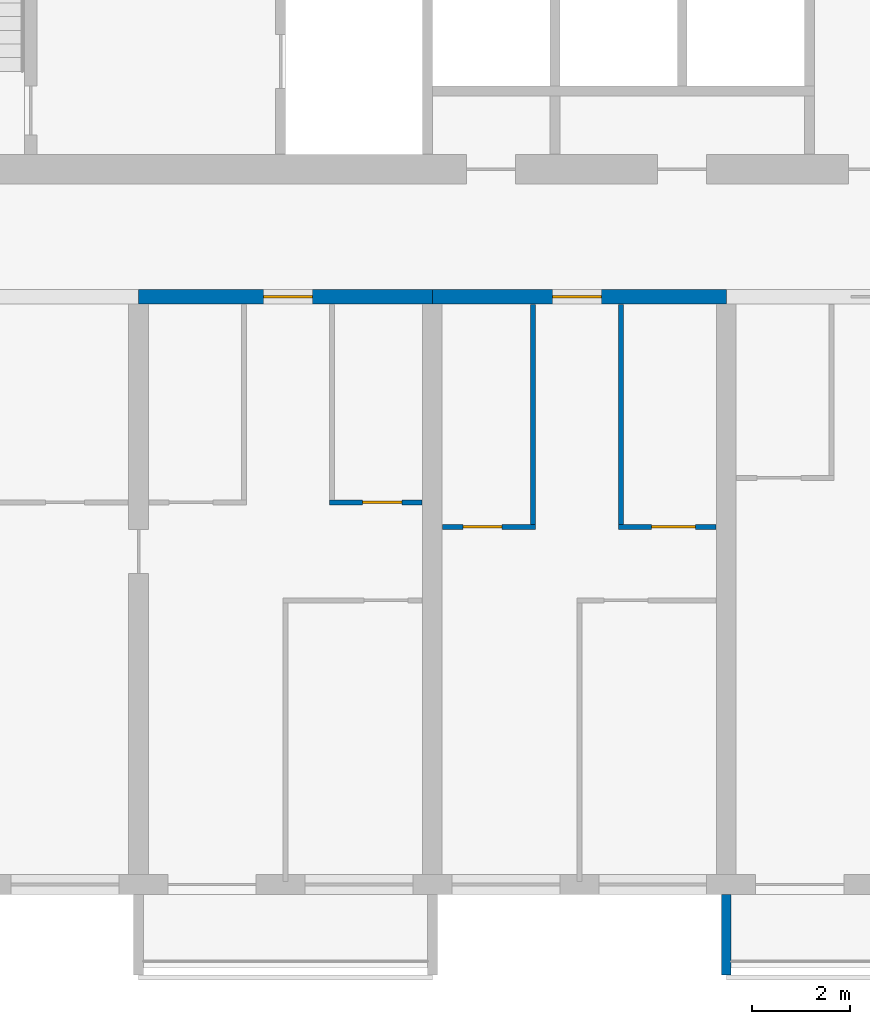
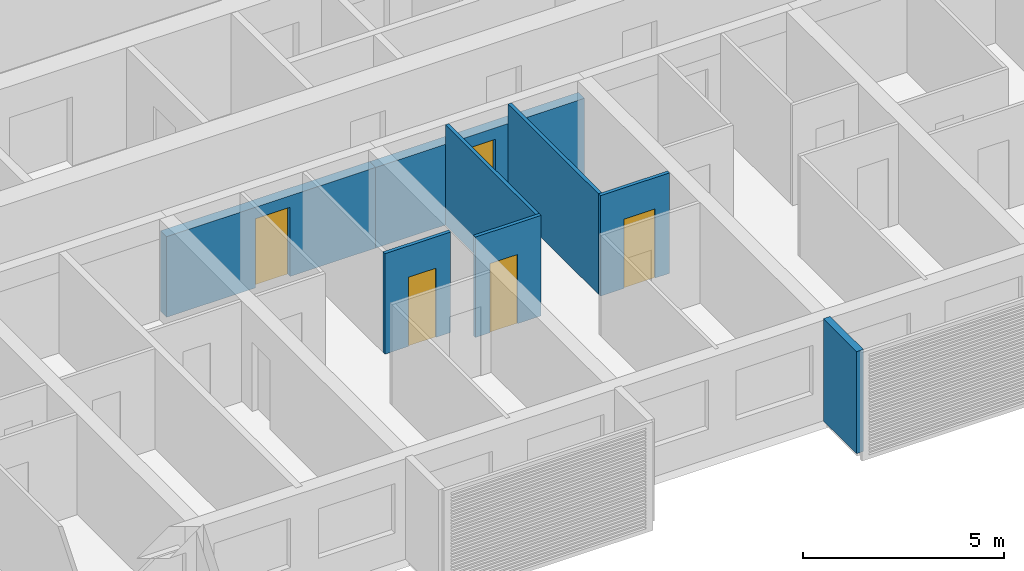
# One storey, part 5 of 44: 8 walls, 5 doors, 5 openings.
"""IFC4 building model written with IfcOpenShell, lengths in metres."""

from ifc_helpers import new_model, si_unit, direction, frame, frame_2d, origin, place, context, subcontext, project, spatial, polyline, rectangle, outline, extrude, source, transform, mapped, material, layer, layer_set, type_object, element, fill, save


model = new_model("IFC4")

# Units and contexts
model_context = context("Model", 3, precision=1e-05, world=origin(), true_north=direction((0.0, 1.0)))
body_context = subcontext(model_context, "Body", "Model", "MODEL_VIEW")
ifc_project = project(units=[si_unit("LENGTHUNIT", "METRE"), si_unit("AREAUNIT", "SQUARE_METRE"), si_unit("VOLUMEUNIT", "CUBIC_METRE"), si_unit("PLANEANGLEUNIT", "RADIAN"), si_unit("MASSUNIT", "GRAM", prefix="KILO")], contexts=[model_context])

# Site, building, storey
site_placement = place(None, origin())
site = spatial("IfcSite", under=ifc_project, at=site_placement, CompositionType="ELEMENT")
building_placement = place(site_placement, origin())
building = spatial("IfcBuilding", under=site, at=building_placement, Name="Poui Terraces", CompositionType="ELEMENT")
storey_placement = place(building_placement, frame((0.0, 0.0, 30.0)))
storey = spatial("IfcBuildingStorey", under=building, at=storey_placement, Name="L07", CompositionType="ELEMENT", Elevation=30.0)

# Wall, opening, door
ifc_material_1 = material(Name="Concrete 80 MPa", Category="concrete")
ifc_layer_1 = layer(ifc_material_1, 0.300048828125)
ifc_layer_set_1 = layer_set([ifc_layer_1], Name="Concrete 80 MPa")
wall_type_1 = type_object("IfcWallType", Name="CORRIDOR WALL 300 80MPa", PredefinedType="SHEAR", material=ifc_layer_set_1)
wall_1_placement = place(storey_placement, frame((36.0, 12.0, 0.0), z_axis=(0.0, 0.0, 1.0), x_axis=(1.0, 0.0, 0.0)))
wall_1 = element("IfcWall", 1, at=wall_1_placement, inside=storey, type_object=wall_type_1, Name="CORRIDOR WALL LINE B BAY 7", PredefinedType="SHEAR", context=body_context, shape_type="SweptSolid", body=[
    extrude(rectangle(XDim=6.0, YDim=0.300048828125, at=frame_2d((3.0, 0.0))), origin(), (0.0, 0.0, 1.0), 2.449951171875),
])
opening_1_placement = place(wall_1_placement, frame((2.550048828125, 0.0, 0.0)))
opening_1 = element("IfcOpeningElement", 2, at=opening_1_placement, cuts=wall_1, Name="Opening FD30S", PredefinedType="OPENING", context=body_context, shape_type="SweptSolid", body=[
    extrude(rectangle(XDim=1.0, YDim=2.10009765625, at=frame_2d((0.5, 1.050048828125))), frame((0.0, 0.16015625, 0.0), z_axis=(0.0, -1.0, 0.0), x_axis=(1.0, 0.0, 0.0)), (0.0, 0.0, 1.0), 0.320068359375),
])
ifc_material_2 = material(Name="Steel fire door", Category="steel")
door_type_1 = type_object("IfcDoorType", Name="FLAT ENTRANCE DOOR 1000 X 2100", OperationType="NOTDEFINED", PredefinedType="DOOR", material=ifc_material_2)
door_1_placement = place(opening_1_placement, frame((1.0, 0.0, 0.0), z_axis=(0.0, 0.0, 1.0), x_axis=(-1.0, 0.0, 0.0)))
door_1 = element("IfcDoor", 3, at=door_1_placement, inside=storey, type_object=door_type_1, Name="FLAT ENTRANCE DOOR 113", OperationType="SINGLE_SWING_LEFT", OverallHeight=2.10009765625, OverallWidth=1.0, PredefinedType="DOOR", context=body_context, shape_type="SweptSolid", body=[
    extrude(rectangle(XDim=1.0, YDim=2.10009765625, at=frame_2d((0.5, 1.050048828125))), frame((0.0, 0.02490234375, 0.0), z_axis=(0.0, -1.0, 0.0), x_axis=(1.0, 0.0, 0.0)), (0.0, 0.0, 1.0), 0.050048828125),
])
fill(opening_1, door_1)

wall_2_placement = place(storey_placement, frame((42.0, 12.0, 0.0), z_axis=(0.0, 0.0, 1.0), x_axis=(1.0, 0.0, 0.0)))
wall_2 = element("IfcWall", 4, at=wall_2_placement, inside=storey, type_object=wall_type_1, Name="CORRIDOR WALL LINE B BAY 8", PredefinedType="SHEAR", context=body_context, shape_type="SweptSolid", body=[
    extrude(rectangle(XDim=6.0, YDim=0.300048828125, at=frame_2d((3.0, 0.0))), origin(), (0.0, 0.0, 1.0), 2.449951171875),
])
opening_2_placement = place(wall_2_placement, frame((2.449951171875, 0.0, 0.0)))
opening_2 = element("IfcOpeningElement", 5, at=opening_2_placement, cuts=wall_2, Name="Opening FD30S", PredefinedType="OPENING", context=body_context, shape_type="SweptSolid", body=[
    extrude(rectangle(XDim=1.0, YDim=2.10009765625, at=frame_2d((0.5, 1.050048828125))), frame((0.0, 0.16015625, 0.0), z_axis=(0.0, -1.0, 0.0), x_axis=(1.0, 0.0, 0.0)), (0.0, 0.0, 1.0), 0.320068359375),
])
door_2_placement = place(opening_2_placement, frame((1.0, 0.0, 0.0), z_axis=(0.0, 0.0, 1.0), x_axis=(-1.0, 0.0, 0.0)))
door_2 = element("IfcDoor", 6, at=door_2_placement, inside=storey, type_object=door_type_1, Name="FLAT ENTRANCE DOOR 117", OperationType="SINGLE_SWING_RIGHT", OverallHeight=2.10009765625, OverallWidth=1.0, PredefinedType="DOOR", context=body_context, shape_type="SweptSolid", body=[
    extrude(rectangle(XDim=1.0, YDim=2.10009765625, at=frame_2d((0.5, 1.050048828125))), frame((0.0, 0.02490234375, 0.0), z_axis=(0.0, -1.0, 0.0), x_axis=(1.0, 0.0, 0.0)), (0.0, 0.0, 1.0), 0.050048828125),
])
fill(opening_2, door_2)

ifc_material_3 = material(Name="Plasterboard partition")
ifc_layer_2 = layer(ifc_material_3, 0.10009765625)
ifc_layer_set_2 = layer_set([ifc_layer_2], Name="Plasterboard partition")
wall_type_2 = type_object("IfcWallType", Name="FLAT PARTITION 100", PredefinedType="PARTITIONING", material=ifc_layer_set_2)
wall_3_placement = place(storey_placement, frame((42.2099609375, 7.300048828125, 0.0), z_axis=(0.0, 0.0, 1.0), x_axis=(1.0, 0.0, 0.0)))
wall_3 = element("IfcWall", 7, at=wall_3_placement, inside=storey, type_object=wall_type_2, Name="FLAT PARTITION 100", PredefinedType="PARTITIONING", context=body_context, shape_type="SweptSolid", body=[
    extrude(rectangle(XDim=1.89013671875, YDim=0.10009765625, at=frame_2d((0.945068359375, 0.0))), origin(), (0.0, 0.0, 1.0), 3.050048828125),
])
opening_3_placement = place(wall_3_placement, frame((0.4150390625, 0.0, 0.0)))
opening_3 = element("IfcOpeningElement", 8, at=opening_3_placement, cuts=wall_3, Name="Opening D80", PredefinedType="OPENING", context=body_context, shape_type="SweptSolid", body=[
    extrude(rectangle(XDim=0.800048828125, YDim=2.10009765625, at=frame_2d((0.39990234375, 1.050048828125))), frame((0.0, 0.06005859375, 0.0), z_axis=(0.0, -1.0, 0.0), x_axis=(1.0, 0.0, 0.0)), (0.0, 0.0, 1.0), 0.1201171875),
])
ifc_material_4 = material(Name="Solid core timber door", Category="wood")
door_type_2 = type_object("IfcDoorType", Name="BATHROOM, LAUNDRY AND STORE DOOR 800 X 2100", OperationType="NOTDEFINED", PredefinedType="DOOR", material=ifc_material_4)
door_3_placement = place(opening_3_placement, origin())
door_3 = element("IfcDoor", 9, at=door_3_placement, inside=storey, type_object=door_type_2, Name="BATHROOM, LAUNDRY AND STORE DOOR 116", OperationType="SINGLE_SWING_RIGHT", OverallHeight=2.10009765625, OverallWidth=0.800048828125, PredefinedType="DOOR", context=body_context, shape_type="SweptSolid", body=[
    extrude(rectangle(XDim=0.800048828125, YDim=2.10009765625, at=frame_2d((0.39990234375, 1.050048828125))), frame((0.0, 0.02490234375, 0.0), z_axis=(0.0, -1.0, 0.0), x_axis=(1.0, 0.0, 0.0)), (0.0, 0.0, 1.0), 0.050048828125),
])
fill(opening_3, door_3)

wall_4_placement = place(storey_placement, frame((45.800048828125, 7.300048828125, 0.0), z_axis=(0.0, 0.0, 1.0), x_axis=(1.0, 0.0, 0.0)))
wall_4 = element("IfcWall", 10, at=wall_4_placement, inside=storey, type_object=wall_type_2, Name="FLAT PARTITION 100", PredefinedType="PARTITIONING", context=body_context, shape_type="SweptSolid", body=[
    extrude(rectangle(XDim=1.989990234375, YDim=0.10009765625, at=frame_2d((0.9951171875, 0.0))), origin(), (0.0, 0.0, 1.0), 3.050048828125),
])
opening_4_placement = place(wall_4_placement, frame((0.675048828125, 0.0, 0.0)))
opening_4 = element("IfcOpeningElement", 11, at=opening_4_placement, cuts=wall_4, Name="Opening D90", PredefinedType="OPENING", context=body_context, shape_type="SweptSolid", body=[
    extrude(rectangle(XDim=0.89990234375, YDim=2.10009765625, at=frame_2d((0.449951171875, 1.050048828125))), frame((0.0, 0.06005859375, 0.0), z_axis=(0.0, -1.0, 0.0), x_axis=(1.0, 0.0, 0.0)), (0.0, 0.0, 1.0), 0.1201171875),
])
door_type_3 = type_object("IfcDoorType", Name="INTERNAL DOOR 900 X 2100", OperationType="NOTDEFINED", PredefinedType="DOOR", material=ifc_material_4)
door_4_placement = place(opening_4_placement, origin())
door_4 = element("IfcDoor", 12, at=door_4_placement, inside=storey, type_object=door_type_3, Name="INTERNAL DOOR 119", OperationType="SINGLE_SWING_LEFT", OverallHeight=2.10009765625, OverallWidth=0.89990234375, PredefinedType="DOOR", context=body_context, shape_type="SweptSolid", body=[
    extrude(rectangle(XDim=0.89990234375, YDim=2.10009765625, at=frame_2d((0.449951171875, 1.050048828125))), frame((0.0, 0.02490234375, 0.0), z_axis=(0.0, -1.0, 0.0), x_axis=(1.0, 0.0, 0.0)), (0.0, 0.0, 1.0), 0.050048828125),
])
fill(opening_4, door_4)

wall_5_placement = place(storey_placement, frame((39.89990234375, 7.800048828125, 0.0), z_axis=(0.0, 0.0, 1.0), x_axis=(1.0, 0.0, 0.0)))
wall_5 = element("IfcWall", 13, at=wall_5_placement, inside=storey, type_object=wall_type_2, Name="FLAT PARTITION 100", PredefinedType="PARTITIONING", context=body_context, shape_type="SweptSolid", body=[
    extrude(rectangle(XDim=1.89013671875, YDim=0.10009765625, at=frame_2d((0.945068359375, 0.0))), origin(), (0.0, 0.0, 1.0), 3.050048828125),
])
opening_5_placement = place(wall_5_placement, frame((0.675048828125, 0.0, 0.0)))
opening_5 = element("IfcOpeningElement", 14, at=opening_5_placement, cuts=wall_5, Name="Opening D80", PredefinedType="OPENING", context=body_context, shape_type="SweptSolid", body=[
    extrude(rectangle(XDim=0.800048828125, YDim=2.10009765625, at=frame_2d((0.39990234375, 1.050048828125))), frame((0.0, 0.06005859375, 0.0), z_axis=(0.0, -1.0, 0.0), x_axis=(1.0, 0.0, 0.0)), (0.0, 0.0, 1.0), 0.1201171875),
])
door_5_placement = place(opening_5_placement, origin())
door_5 = element("IfcDoor", 15, at=door_5_placement, inside=storey, type_object=door_type_2, Name="BATHROOM, LAUNDRY AND STORE DOOR 114", OperationType="SINGLE_SWING_RIGHT", OverallHeight=2.10009765625, OverallWidth=0.800048828125, PredefinedType="DOOR", context=body_context, shape_type="SweptSolid", body=[
    extrude(rectangle(XDim=0.800048828125, YDim=2.10009765625, at=frame_2d((0.39990234375, 1.050048828125))), frame((0.0, 0.02490234375, 0.0), z_axis=(0.0, -1.0, 0.0), x_axis=(1.0, 0.0, 0.0)), (0.0, 0.0, 1.0), 0.050048828125),
])
fill(opening_5, door_5)

# Walls
for number, where, z_axis, x_axis, name in (
    (16, (44.050048828125, 7.35009765625, 0.0), (0.0, 0.0, 1.0), (0.0, 1.0, 0.0), "FLAT PARTITION 100"),
    (17, (45.85009765625, 7.35009765625, 0.0), (0.0, 0.0, 1.0), (0.0, 1.0, 0.0), "FLAT PARTITION 100"),
):
    element("IfcWall", number, at=place(storey_placement, frame(where, z_axis=z_axis, x_axis=x_axis)), inside=storey, type_object=wall_type_2, Name=name, PredefinedType="PARTITIONING", context=body_context, shape_type="SweptSolid", body=[
        extrude(rectangle(XDim=4.489990234375, YDim=0.10009765625, at=frame_2d((2.2451171875, 0.0))), origin(), (0.0, 0.0, 1.0), 3.050048828125),
    ])
ifc_material_5 = material(Name="Precast concrete 40 MPa", Category="concrete")
ifc_layer_3 = layer(ifc_material_5, 0.199951171875)
ifc_layer_set_3 = layer_set([ifc_layer_3], Name="Precast concrete 40 MPa")
wall_type_3 = type_object("IfcWallType", Name="REAR FIN 200", PredefinedType="STANDARD", material=ifc_layer_set_3)
shared_shape = source(origin(), body_context, "Body", "SweptSolid", [
    extrude(outline(polyline([(0.0, 0.0), (0.2001953125, 0.0), (0.2001953125, 1.650146484375), (0.0, 1.650146484375), (0.0, 0.0)])), origin(), (0.0, 0.0, 1.0), 3.10009765625),
])
wall_6_placement = place(storey_placement, frame((47.89990234375, -1.85009765625, 0.0)))
element("IfcWall", 18, at=wall_6_placement, inside=storey, type_object=wall_type_3, Name="REAR FIN", PredefinedType="STANDARD", context=body_context, shape_type="MappedRepresentation", body=[
    mapped(shared_shape, transform((0.0, 0.0, 0.0))),
])

save(model, "model.ifc")
